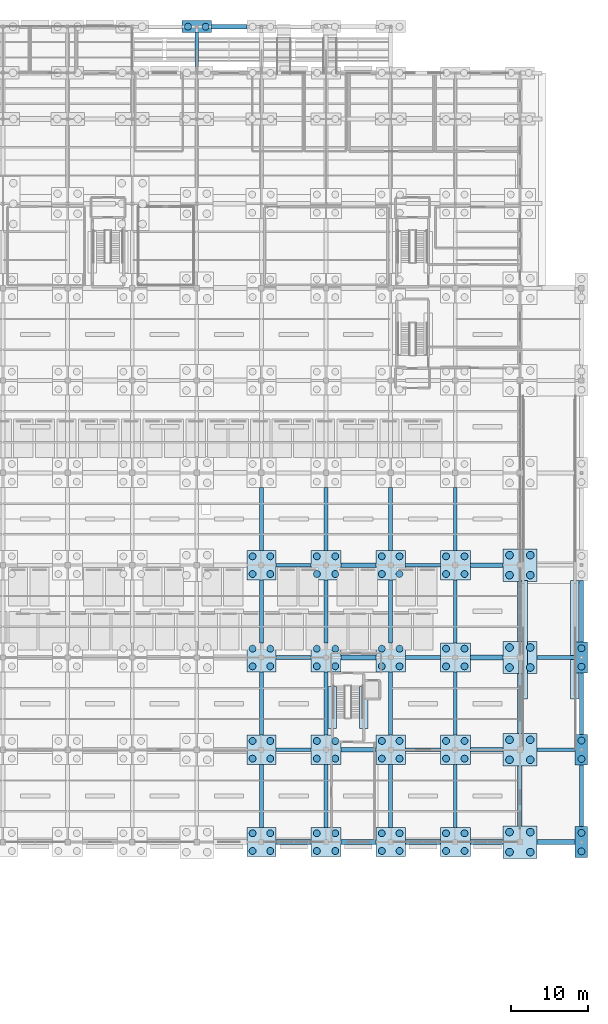
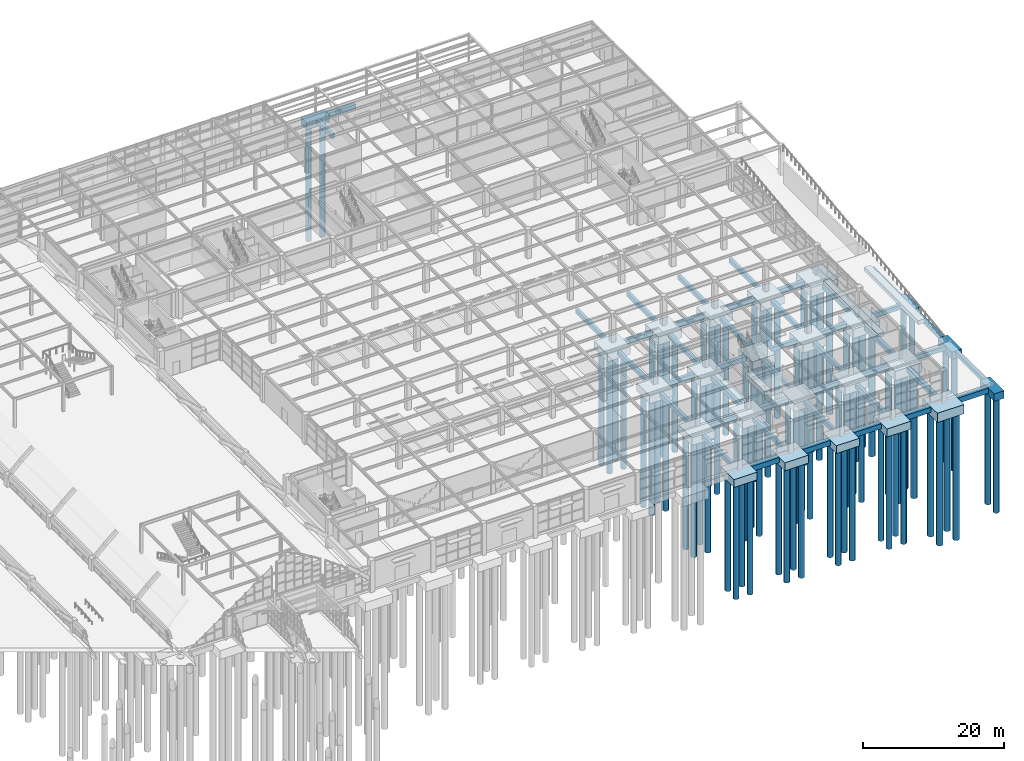
# One storey, part 9 of 129: 88 piles, 71 footings.
"""IFC4 building model written with IfcOpenShell, lengths in metres."""

from ifc_helpers import new_model, si_unit, direction, frame, origin, origin_2d, place, context, subcontext, project, spatial, rectangle, circle, extrude, material, material_profile, profile_set, type_object, element, save


model = new_model("IFC4")

# Units and contexts
model_context = context("Model", 3, precision=1e-05, world=origin(), true_north=direction((0.0, 1.0)))
body_context = subcontext(model_context, "Body", "Model", "MODEL_VIEW")
ifc_project = project(units=[si_unit("LENGTHUNIT", "METRE"), si_unit("AREAUNIT", "SQUARE_METRE"), si_unit("VOLUMEUNIT", "CUBIC_METRE"), si_unit("PLANEANGLEUNIT", "RADIAN"), si_unit("MASSUNIT", "GRAM", prefix="KILO")], contexts=[model_context])

# Site, building, storey
site_placement = place(None, origin())
site = spatial("IfcSite", under=ifc_project, at=site_placement, CompositionType="ELEMENT")
building_placement = place(site_placement, origin())
building = spatial("IfcBuilding", under=site, at=building_placement, Name="Sitalva Quay Ferry Terminal", CompositionType="ELEMENT")
storey_placement = place(building_placement, origin())
storey = spatial("IfcBuildingStorey", under=building, at=storey_placement, Name="L01", CompositionType="ELEMENT", Elevation=0.0)

# Footings
ifc_material_1 = material(Name="Concrete C35/45", Category="concrete")
ifc_material_profile_1 = material_profile(ifc_material_1, rectangle(XDim=0.5, YDim=0.75, at=origin_2d()), Name="RC500x750")
ifc_profile_set_1 = profile_set([ifc_material_profile_1], Name="Concrete C35/45")
footing_type_1 = type_object("IfcFootingType", Name="FootingBeam_500x750", PredefinedType="FOOTING_BEAM", material=ifc_profile_set_1)
footing_1_placement = place(storey_placement, frame((136.300048828125, 18.0, -0.824951171875), z_axis=(1.0, 0.0, 0.0), x_axis=(0.0, 1.0, 0.0)))
element("IfcFooting", 1, at=footing_1_placement, inside=storey, type_object=footing_type_1, Name="Foundation tie beam FBR1-X-039", PredefinedType="FOOTING_BEAM", context=body_context, shape_type="SweptSolid", body=[
    extrude(rectangle(XDim=0.5, YDim=0.75, at=origin_2d()), origin(), (0.0, 0.0, 1.0), 4.550048828125),
])
footing_2_placement = place(storey_placement, frame((153.10009765625, 18.0, -0.824951171875), z_axis=(1.0, 0.0, 0.0), x_axis=(0.0, 1.0, 0.0)))
element("IfcFooting", 2, at=footing_2_placement, inside=storey, type_object=footing_type_1, Name="Foundation tie beam FBR1-X-041", PredefinedType="FOOTING_BEAM", context=body_context, shape_type="SweptSolid", body=[
    extrude(rectangle(XDim=0.5, YDim=0.75, at=origin_2d()), origin(), (0.0, 0.0, 1.0), 4.5498046875),
])
footing_3_placement = place(storey_placement, frame((170.199951171875, 18.0, -0.824951171875), z_axis=(1.0, 0.0, 0.0), x_axis=(0.0, 1.0, 0.0)))
element("IfcFooting", 3, at=footing_3_placement, inside=storey, type_object=footing_type_1, Name="Foundation tie beam FBR1-X-043", PredefinedType="FOOTING_BEAM", context=body_context, shape_type="SweptSolid", body=[
    extrude(rectangle(XDim=0.5, YDim=0.75, at=origin_2d()), origin(), (0.0, 0.0, 1.0), 4.989990234375),
])
footing_4_placement = place(storey_placement, frame((136.300048828125, 30.0, -0.824951171875), z_axis=(1.0, 0.0, 0.0), x_axis=(0.0, 1.0, 0.0)))
element("IfcFooting", 4, at=footing_4_placement, inside=storey, type_object=footing_type_1, Name="Foundation tie beam FBR1-X-059", PredefinedType="FOOTING_BEAM", context=body_context, shape_type="SweptSolid", body=[
    extrude(rectangle(XDim=0.5, YDim=0.75, at=origin_2d()), origin(), (0.0, 0.0, 1.0), 4.550048828125),
])
footing_5_placement = place(storey_placement, frame((153.10009765625, 30.0, -0.824951171875), z_axis=(1.0, 0.0, 0.0), x_axis=(0.0, 1.0, 0.0)))
element("IfcFooting", 5, at=footing_5_placement, inside=storey, type_object=footing_type_1, Name="Foundation tie beam FBR1-X-061", PredefinedType="FOOTING_BEAM", context=body_context, shape_type="SweptSolid", body=[
    extrude(rectangle(XDim=0.5, YDim=0.75, at=origin_2d()), origin(), (0.0, 0.0, 1.0), 4.5498046875),
])
footing_6_placement = place(storey_placement, frame((170.199951171875, 30.0, -0.824951171875), z_axis=(1.0, 0.0, 0.0), x_axis=(0.0, 1.0, 0.0)))
element("IfcFooting", 6, at=footing_6_placement, inside=storey, type_object=footing_type_1, Name="Foundation tie beam FBR1-X-063", PredefinedType="FOOTING_BEAM", context=body_context, shape_type="SweptSolid", body=[
    extrude(rectangle(XDim=0.5, YDim=0.75, at=origin_2d()), origin(), (0.0, 0.0, 1.0), 4.989990234375),
])
footing_7_placement = place(storey_placement, frame((136.300048828125, 42.0, -0.824951171875), z_axis=(1.0, 0.0, 0.0), x_axis=(0.0, 1.0, 0.0)))
element("IfcFooting", 7, at=footing_7_placement, inside=storey, type_object=footing_type_1, Name="Foundation tie beam FBR1-X-075", PredefinedType="FOOTING_BEAM", context=body_context, shape_type="SweptSolid", body=[
    extrude(rectangle(XDim=0.5, YDim=0.75, at=origin_2d()), origin(), (0.0, 0.0, 1.0), 4.550048828125),
])
footing_8_placement = place(storey_placement, frame((153.10009765625, 42.0, -0.824951171875), z_axis=(1.0, 0.0, 0.0), x_axis=(0.0, 1.0, 0.0)))
element("IfcFooting", 8, at=footing_8_placement, inside=storey, type_object=footing_type_1, Name="Foundation tie beam FBR1-X-077", PredefinedType="FOOTING_BEAM", context=body_context, shape_type="SweptSolid", body=[
    extrude(rectangle(XDim=0.5, YDim=0.75, at=origin_2d()), origin(), (0.0, 0.0, 1.0), 4.5498046875),
])
footing_9_placement = place(storey_placement, frame((126.0, 106.824951171875, -0.824951171875), z_axis=(0.0, 1.0, 0.0), x_axis=(-1.0, 0.0, 0.0)))
element("IfcFooting", 9, at=footing_9_placement, inside=storey, type_object=footing_type_1, Name="Foundation tie beam FBR1-Y-350", PredefinedType="FOOTING_BEAM", context=body_context, shape_type="SweptSolid", body=[
    extrude(rectangle(XDim=0.5, YDim=0.75, at=origin_2d()), origin(), (0.0, 0.0, 1.0), 4.400146484375),
])
for number, where, z_axis, x_axis, name in (
    (10, (134.39990234375, 7.89990234375, -0.824951171875), (0.0, 1.0, 0.0), (-1.0, 0.0, 0.0), "Foundation tie beam FBR1-Y-351"),
    (11, (134.39990234375, 19.89990234375, -0.824951171875), (0.0, 1.0, 0.0), (-1.0, 0.0, 0.0), "Foundation tie beam FBR1-Y-352"),
    (12, (134.39990234375, 31.89990234375, -0.824951171875), (0.0, 1.0, 0.0), (-1.0, 0.0, 0.0), "Foundation tie beam FBR1-Y-353"),
    (13, (134.39990234375, 43.89990234375, -0.824951171875), (0.0, 1.0, 0.0), (-1.0, 0.0, 0.0), "Foundation tie beam FBR1-Y-354"),
    (14, (142.800048828125, 7.89990234375, -0.824951171875), (0.0, 1.0, 0.0), (-1.0, 0.0, 0.0), "Foundation tie beam FBR1-Y-361"),
    (15, (142.800048828125, 19.89990234375, -0.824951171875), (0.0, 1.0, 0.0), (-1.0, 0.0, 0.0), "Foundation tie beam FBR1-Y-362"),
    (16, (142.800048828125, 31.89990234375, -0.824951171875), (0.0, 1.0, 0.0), (-1.0, 0.0, 0.0), "Foundation tie beam FBR1-Y-363"),
    (17, (142.800048828125, 43.89990234375, -0.824951171875), (0.0, 1.0, 0.0), (-1.0, 0.0, 0.0), "Foundation tie beam FBR1-Y-364"),
    (18, (151.199951171875, 7.89990234375, -0.824951171875), (0.0, 1.0, 0.0), (-1.0, 0.0, 0.0), "Foundation tie beam FBR1-Y-371"),
    (19, (151.199951171875, 19.89990234375, -0.824951171875), (0.0, 1.0, 0.0), (-1.0, 0.0, 0.0), "Foundation tie beam FBR1-Y-372"),
    (20, (151.199951171875, 31.89990234375, -0.824951171875), (0.0, 1.0, 0.0), (-1.0, 0.0, 0.0), "Foundation tie beam FBR1-Y-373"),
    (21, (151.199951171875, 43.89990234375, -0.824951171875), (0.0, 1.0, 0.0), (-1.0, 0.0, 0.0), "Foundation tie beam FBR1-Y-374"),
    (22, (159.60009765625, 7.89990234375, -0.824951171875), (0.0, 1.0, 0.0), (-1.0, 0.0, 0.0), "Foundation tie beam FBR1-Y-381"),
    (23, (159.60009765625, 19.89990234375, -0.824951171875), (0.0, 1.0, 0.0), (-1.0, 0.0, 0.0), "Foundation tie beam FBR1-Y-382"),
    (24, (159.60009765625, 31.89990234375, -0.824951171875), (0.0, 1.0, 0.0), (-1.0, 0.0, 0.0), "Foundation tie beam FBR1-Y-383"),
    (25, (159.60009765625, 43.89990234375, -0.824951171875), (0.0, 1.0, 0.0), (-1.0, 0.0, 0.0), "Foundation tie beam FBR1-Y-384"),
):
    element("IfcFooting", number, at=place(storey_placement, frame(where, z_axis=z_axis, x_axis=x_axis)), inside=storey, type_object=footing_type_1, Name=name, PredefinedType="FOOTING_BEAM", context=body_context, shape_type="SweptSolid", body=[
        extrude(rectangle(XDim=0.5, YDim=0.75, at=origin_2d()), origin(), (0.0, 0.0, 1.0), 8.2001953125),
    ])
for number, where, z_axis, x_axis, name in (
    (26, (176.0, 8.0, -0.824951171875), (0.0, 1.0, 0.0), (-1.0, 0.0, 0.0), "Foundation tie beam FBR1-Y-399"),
    (27, (176.0, 20.0, -0.824951171875), (0.0, 1.0, 0.0), (-1.0, 0.0, 0.0), "Foundation tie beam FBR1-Y-400"),
    (28, (176.0, 32.0, -0.824951171875), (0.0, 1.0, 0.0), (-1.0, 0.0, 0.0), "Foundation tie beam FBR1-Y-401"),
):
    element("IfcFooting", number, at=place(storey_placement, frame(where, z_axis=z_axis, x_axis=x_axis)), inside=storey, type_object=footing_type_1, Name=name, PredefinedType="FOOTING_BEAM", context=body_context, shape_type="SweptSolid", body=[
        extrude(rectangle(XDim=0.5, YDim=0.75, at=origin_2d()), origin(), (0.0, 0.0, 1.0), 8.0),
    ])
ifc_material_2 = material(Name="Concrete C35/45", Category="concrete")
ifc_material_profile_2 = material_profile(ifc_material_2, rectangle(XDim=0.60009765625, YDim=0.800048828125, at=origin_2d()), Name="RC600x800")
ifc_profile_set_2 = profile_set([ifc_material_profile_2], Name="Concrete C35/45")
footing_type_2 = type_object("IfcFootingType", Name="FootingBeam_600x800", PredefinedType="FOOTING_BEAM", material=ifc_profile_set_2)
footing_10_placement = place(storey_placement, frame((144.75, 18.0, -0.85009765625), z_axis=(1.0, 0.0, 0.0), x_axis=(0.0, 1.0, 0.0)))
element("IfcFooting", 29, at=footing_10_placement, inside=storey, type_object=footing_type_2, Name="Foundation tie beam FBR1-X-040", PredefinedType="FOOTING_BEAM", context=body_context, shape_type="SweptSolid", body=[
    extrude(rectangle(XDim=0.60009765625, YDim=0.800048828125, at=origin_2d()), origin(), (0.0, 0.0, 1.0), 4.550048828125),
])
footing_11_placement = place(storey_placement, frame((161.550048828125, 18.0, -0.85009765625), z_axis=(1.0, 0.0, 0.0), x_axis=(0.0, 1.0, 0.0)))
element("IfcFooting", 30, at=footing_11_placement, inside=storey, type_object=footing_type_2, Name="Foundation tie beam FBR1-X-042", PredefinedType="FOOTING_BEAM", context=body_context, shape_type="SweptSolid", body=[
    extrude(rectangle(XDim=0.60009765625, YDim=0.800048828125, at=origin_2d()), origin(), (0.0, 0.0, 1.0), 4.25),
])
footing_12_placement = place(storey_placement, frame((144.75, 30.0, -0.85009765625), z_axis=(1.0, 0.0, 0.0), x_axis=(0.0, 1.0, 0.0)))
element("IfcFooting", 31, at=footing_12_placement, inside=storey, type_object=footing_type_2, Name="Foundation tie beam FBR1-X-060", PredefinedType="FOOTING_BEAM", context=body_context, shape_type="SweptSolid", body=[
    extrude(rectangle(XDim=0.60009765625, YDim=0.800048828125, at=origin_2d()), origin(), (0.0, 0.0, 1.0), 4.550048828125),
])
footing_13_placement = place(storey_placement, frame((161.550048828125, 30.0, -0.85009765625), z_axis=(1.0, 0.0, 0.0), x_axis=(0.0, 1.0, 0.0)))
element("IfcFooting", 32, at=footing_13_placement, inside=storey, type_object=footing_type_2, Name="Foundation tie beam FBR1-X-062", PredefinedType="FOOTING_BEAM", context=body_context, shape_type="SweptSolid", body=[
    extrude(rectangle(XDim=0.60009765625, YDim=0.800048828125, at=origin_2d()), origin(), (0.0, 0.0, 1.0), 4.25),
])
footing_14_placement = place(storey_placement, frame((144.75, 42.0, -0.85009765625), z_axis=(1.0, 0.0, 0.0), x_axis=(0.0, 1.0, 0.0)))
element("IfcFooting", 33, at=footing_14_placement, inside=storey, type_object=footing_type_2, Name="Foundation tie beam FBR1-X-076", PredefinedType="FOOTING_BEAM", context=body_context, shape_type="SweptSolid", body=[
    extrude(rectangle(XDim=0.60009765625, YDim=0.800048828125, at=origin_2d()), origin(), (0.0, 0.0, 1.0), 4.550048828125),
])
footing_15_placement = place(storey_placement, frame((161.550048828125, 42.0, -0.85009765625), z_axis=(1.0, 0.0, 0.0), x_axis=(0.0, 1.0, 0.0)))
element("IfcFooting", 34, at=footing_15_placement, inside=storey, type_object=footing_type_2, Name="Foundation tie beam FBR1-X-078", PredefinedType="FOOTING_BEAM", context=body_context, shape_type="SweptSolid", body=[
    extrude(rectangle(XDim=0.60009765625, YDim=0.800048828125, at=origin_2d()), origin(), (0.0, 0.0, 1.0), 4.25),
])
footing_16_placement = place(storey_placement, frame((127.89990234375, 112.0, -0.85009765625), z_axis=(1.0, 0.0, 0.0), x_axis=(0.0, 1.0, 0.0)))
element("IfcFooting", 35, at=footing_16_placement, inside=storey, type_object=footing_type_2, Name="Foundation tie beam FBR1-X-206", PredefinedType="FOOTING_BEAM", context=body_context, shape_type="SweptSolid", body=[
    extrude(rectangle(XDim=0.60009765625, YDim=0.800048828125, at=origin_2d()), origin(), (0.0, 0.0, 1.0), 4.60009765625),
])
for number, where, z_axis, x_axis, name in (
    (36, (168.0, 8.10009765625, -0.85009765625), (0.0, 1.0, 0.0), (-1.0, 0.0, 0.0), "Foundation tie beam FBR1-Y-390"),
    (37, (168.0, 20.10009765625, -0.85009765625), (0.0, 1.0, 0.0), (-1.0, 0.0, 0.0), "Foundation tie beam FBR1-Y-391"),
    (38, (168.0, 32.10009765625, -0.85009765625), (0.0, 1.0, 0.0), (-1.0, 0.0, 0.0), "Foundation tie beam FBR1-Y-392"),
):
    element("IfcFooting", number, at=place(storey_placement, frame(where, z_axis=z_axis, x_axis=x_axis)), inside=storey, type_object=footing_type_2, Name=name, PredefinedType="FOOTING_BEAM", context=body_context, shape_type="SweptSolid", body=[
        extrude(rectangle(XDim=0.60009765625, YDim=0.800048828125, at=origin_2d()), origin(), (0.0, 0.0, 1.0), 7.7998046875),
    ])
ifc_material_3 = material(Name="Concrete C35/45", Category="concrete")
ifc_material_profile_3 = material_profile(ifc_material_3, rectangle(XDim=0.64990234375, YDim=0.89990234375, at=origin_2d()), Name="RC650x900")
ifc_profile_set_3 = profile_set([ifc_material_profile_3], Name="Concrete C35/45")
footing_type_3 = type_object("IfcFootingType", Name="FootingBeam_650x900", PredefinedType="FOOTING_BEAM", material=ifc_profile_set_3)
for number, where, z_axis, x_axis, name in (
    (39, (136.300048828125, 6.0, -0.89990234375), (1.0, 0.0, 0.0), (0.0, 1.0, 0.0), "Foundation tie beam FBR1-X-022"),
    (40, (144.75, 6.0, -0.89990234375), (1.0, 0.0, 0.0), (0.0, 1.0, 0.0), "Foundation tie beam FBR1-X-023"),
):
    element("IfcFooting", number, at=place(storey_placement, frame(where, z_axis=z_axis, x_axis=x_axis)), inside=storey, type_object=footing_type_3, Name=name, PredefinedType="FOOTING_BEAM", context=body_context, shape_type="SweptSolid", body=[
        extrude(rectangle(XDim=0.64990234375, YDim=0.89990234375, at=origin_2d()), origin(), (0.0, 0.0, 1.0), 4.550048828125),
    ])
footing_17_placement = place(storey_placement, frame((153.10009765625, 6.0, -0.89990234375), z_axis=(1.0, 0.0, 0.0), x_axis=(0.0, 1.0, 0.0)))
element("IfcFooting", 41, at=footing_17_placement, inside=storey, type_object=footing_type_3, Name="Foundation tie beam FBR1-X-024", PredefinedType="FOOTING_BEAM", context=body_context, shape_type="SweptSolid", body=[
    extrude(rectangle(XDim=0.64990234375, YDim=0.89990234375, at=origin_2d()), origin(), (0.0, 0.0, 1.0), 4.5498046875),
])
footing_18_placement = place(storey_placement, frame((161.550048828125, 6.0, -0.89990234375), z_axis=(1.0, 0.0, 0.0), x_axis=(0.0, 1.0, 0.0)))
element("IfcFooting", 42, at=footing_18_placement, inside=storey, type_object=footing_type_3, Name="Foundation tie beam FBR1-X-025", PredefinedType="FOOTING_BEAM", context=body_context, shape_type="SweptSolid", body=[
    extrude(rectangle(XDim=0.64990234375, YDim=0.89990234375, at=origin_2d()), origin(), (0.0, 0.0, 1.0), 4.25),
])
footing_19_placement = place(storey_placement, frame((170.199951171875, 6.0, -0.89990234375), z_axis=(1.0, 0.0, 0.0), x_axis=(0.0, 1.0, 0.0)))
element("IfcFooting", 43, at=footing_19_placement, inside=storey, type_object=footing_type_3, Name="Foundation tie beam FBR1-X-026", PredefinedType="FOOTING_BEAM", context=body_context, shape_type="SweptSolid", body=[
    extrude(rectangle(XDim=0.64990234375, YDim=0.89990234375, at=origin_2d()), origin(), (0.0, 0.0, 1.0), 4.989990234375),
])
ifc_material_4 = material(Name="Concrete C35/45", Category="concrete")
footing_type_4 = type_object("IfcFootingType", Name="PileCap_2P_D900_X1", PredefinedType="PILE_CAP", material=ifc_material_4)
footing_20_placement = place(storey_placement, frame((126.0, 112.0, -1.64990234375), z_axis=(0.0, 0.0, 1.0), x_axis=(1.0, 0.0, 0.0)))
element("IfcFooting", 44, at=footing_20_placement, inside=storey, type_object=footing_type_4, Name="Pile cap PC-13 at 16N", PredefinedType="PILE_CAP", context=body_context, shape_type="SweptSolid", body=[
    extrude(rectangle(XDim=3.800048828125, YDim=1.550048828125, at=origin_2d()), origin(), (0.0, 0.0, 1.0), 1.199951171875),
])
ifc_material_5 = material(Name="Concrete C35/45", Category="concrete")
footing_type_5 = type_object("IfcFootingType", Name="PileCap_2P_D900_Y2", PredefinedType="PILE_CAP", material=ifc_material_5)
for number, where, z_axis, x_axis, name in (
    (45, (176.0, 6.0, -1.72998046875), (0.0, 0.0, 1.0), (1.0, 0.0, 0.0), "Pile cap PC-16 at 22C"),
    (46, (176.0, 18.0, -1.72998046875), (0.0, 0.0, 1.0), (1.0, 0.0, 0.0), "Pile cap PC-16 at 22D"),
    (47, (176.0, 30.0, -1.72998046875), (0.0, 0.0, 1.0), (1.0, 0.0, 0.0), "Pile cap PC-16 at 22E"),
):
    element("IfcFooting", number, at=place(storey_placement, frame(where, z_axis=z_axis, x_axis=x_axis)), inside=storey, type_object=footing_type_5, Name=name, PredefinedType="PILE_CAP", context=body_context, shape_type="SweptSolid", body=[
        extrude(rectangle(XDim=1.6201171875, YDim=4.0, at=origin_2d()), origin(), (0.0, 0.0, 1.0), 1.280029296875),
    ])
ifc_material_6 = material(Name="Concrete C35/45", Category="concrete")
footing_type_6 = type_object("IfcFootingType", Name="PileCap_4P_D1000_C", PredefinedType="PILE_CAP", material=ifc_material_6)
for number, where, z_axis, x_axis, name in (
    (48, (168.0, 6.0, -2.050048828125), (0.0, 0.0, 1.0), (1.0, 0.0, 0.0), "Pile cap PC-05 at 21C"),
    (49, (168.0, 18.0, -2.050048828125), (0.0, 0.0, 1.0), (1.0, 0.0, 0.0), "Pile cap PC-05 at 21D"),
    (50, (168.0, 30.0, -2.050048828125), (0.0, 0.0, 1.0), (1.0, 0.0, 0.0), "Pile cap PC-05 at 21E"),
    (51, (168.0, 42.0, -2.050048828125), (0.0, 0.0, 1.0), (1.0, 0.0, 0.0), "Pile cap PC-05 at 21F"),
):
    element("IfcFooting", number, at=place(storey_placement, frame(where, z_axis=z_axis, x_axis=x_axis)), inside=storey, type_object=footing_type_6, Name=name, PredefinedType="PILE_CAP", context=body_context, shape_type="SweptSolid", body=[
        extrude(rectangle(XDim=4.39990234375, YDim=4.199951171875, at=origin_2d()), origin(), (0.0, 0.0, 1.0), 1.60009765625),
    ])
ifc_material_7 = material(Name="Concrete C35/45", Category="concrete")
footing_type_7 = type_object("IfcFootingType", Name="PileCap_4P_D900_A", PredefinedType="PILE_CAP", material=ifc_material_7)
for number, where, z_axis, x_axis, name in (
    (52, (134.39990234375, 6.0, -1.800048828125), (0.0, 0.0, 1.0), (1.0, 0.0, 0.0), "Pile cap PC-07 at 17C"),
    (53, (151.199951171875, 6.0, -1.800048828125), (0.0, 0.0, 1.0), (1.0, 0.0, 0.0), "Pile cap PC-07 at 19C"),
    (54, (134.39990234375, 18.0, -1.800048828125), (0.0, 0.0, 1.0), (1.0, 0.0, 0.0), "Pile cap PC-07 at 17D"),
    (55, (151.199951171875, 18.0, -1.800048828125), (0.0, 0.0, 1.0), (1.0, 0.0, 0.0), "Pile cap PC-07 at 19D"),
    (56, (134.39990234375, 30.0, -1.800048828125), (0.0, 0.0, 1.0), (1.0, 0.0, 0.0), "Pile cap PC-07 at 17E"),
    (57, (151.199951171875, 30.0, -1.800048828125), (0.0, 0.0, 1.0), (1.0, 0.0, 0.0), "Pile cap PC-07 at 19E"),
    (58, (134.39990234375, 42.0, -1.800048828125), (0.0, 0.0, 1.0), (1.0, 0.0, 0.0), "Pile cap PC-07 at 17F"),
    (59, (151.199951171875, 42.0, -1.800048828125), (0.0, 0.0, 1.0), (1.0, 0.0, 0.0), "Pile cap PC-07 at 19F"),
):
    element("IfcFooting", number, at=place(storey_placement, frame(where, z_axis=z_axis, x_axis=x_axis)), inside=storey, type_object=footing_type_7, Name=name, PredefinedType="PILE_CAP", context=body_context, shape_type="SweptSolid", body=[
        extrude(rectangle(XDim=3.800048828125, YDim=3.800048828125, at=origin_2d()), origin(), (0.0, 0.0, 1.0), 1.35009765625),
    ])
ifc_material_8 = material(Name="Concrete C35/45", Category="concrete")
footing_type_8 = type_object("IfcFootingType", Name="PileCap_4P_D900_B", PredefinedType="PILE_CAP", material=ifc_material_8)
for number, where, z_axis, x_axis, name in (
    (60, (142.800048828125, 6.0, -1.849853515625), (0.0, 0.0, 1.0), (1.0, 0.0, 0.0), "Pile cap PC-08 at 18C"),
    (61, (159.60009765625, 6.0, -1.849853515625), (0.0, 0.0, 1.0), (1.0, 0.0, 0.0), "Pile cap PC-08 at 20C"),
    (62, (142.800048828125, 18.0, -1.849853515625), (0.0, 0.0, 1.0), (1.0, 0.0, 0.0), "Pile cap PC-08 at 18D"),
    (63, (159.60009765625, 18.0, -1.849853515625), (0.0, 0.0, 1.0), (1.0, 0.0, 0.0), "Pile cap PC-08 at 20D"),
    (64, (142.800048828125, 30.0, -1.849853515625), (0.0, 0.0, 1.0), (1.0, 0.0, 0.0), "Pile cap PC-08 at 18E"),
    (65, (159.60009765625, 30.0, -1.849853515625), (0.0, 0.0, 1.0), (1.0, 0.0, 0.0), "Pile cap PC-08 at 20E"),
    (66, (142.800048828125, 42.0, -1.849853515625), (0.0, 0.0, 1.0), (1.0, 0.0, 0.0), "Pile cap PC-08 at 18F"),
    (67, (159.60009765625, 42.0, -1.849853515625), (0.0, 0.0, 1.0), (1.0, 0.0, 0.0), "Pile cap PC-08 at 20F"),
):
    element("IfcFooting", number, at=place(storey_placement, frame(where, z_axis=z_axis, x_axis=x_axis)), inside=storey, type_object=footing_type_8, Name=name, PredefinedType="PILE_CAP", context=body_context, shape_type="SweptSolid", body=[
        extrude(rectangle(XDim=3.89990234375, YDim=3.800048828125, at=origin_2d()), origin(), (0.0, 0.0, 1.0), 1.39990234375),
    ])

# Piles
ifc_material_9 = material(Name="Concrete C35/45", Category="concrete")
ifc_material_profile_4 = material_profile(ifc_material_9, circle(Radius=0.5, at=origin_2d()), Name="PILE-D1000")
ifc_profile_set_4 = profile_set([ifc_material_profile_4], Name="Concrete C35/45")
pile_type_1 = type_object("IfcPileType", Name="Pile_Bored_D1000", PredefinedType="BORED", material=ifc_profile_set_4)
for number, where, z_axis, x_axis, name in (
    (68, (166.64990234375, 4.699951171875, -1.949951171875), (0.0, 0.0, -1.0), (1.0, 0.0, 0.0), "Bored pile 21C-P1"),
    (69, (169.35009765625, 4.699951171875, -1.949951171875), (0.0, 0.0, -1.0), (1.0, 0.0, 0.0), "Bored pile 21C-P2"),
    (70, (166.64990234375, 7.300048828125, -1.949951171875), (0.0, 0.0, -1.0), (1.0, 0.0, 0.0), "Bored pile 21C-P3"),
    (71, (169.35009765625, 7.300048828125, -1.949951171875), (0.0, 0.0, -1.0), (1.0, 0.0, 0.0), "Bored pile 21C-P4"),
    (72, (166.64990234375, 16.699951171875, -1.949951171875), (0.0, 0.0, -1.0), (1.0, 0.0, 0.0), "Bored pile 21D-P1"),
    (73, (169.35009765625, 16.699951171875, -1.949951171875), (0.0, 0.0, -1.0), (1.0, 0.0, 0.0), "Bored pile 21D-P2"),
    (74, (166.64990234375, 19.300048828125, -1.949951171875), (0.0, 0.0, -1.0), (1.0, 0.0, 0.0), "Bored pile 21D-P3"),
    (75, (169.35009765625, 19.300048828125, -1.949951171875), (0.0, 0.0, -1.0), (1.0, 0.0, 0.0), "Bored pile 21D-P4"),
    (76, (166.64990234375, 28.699951171875, -1.949951171875), (0.0, 0.0, -1.0), (1.0, 0.0, 0.0), "Bored pile 21E-P1"),
    (77, (169.35009765625, 28.699951171875, -1.949951171875), (0.0, 0.0, -1.0), (1.0, 0.0, 0.0), "Bored pile 21E-P2"),
    (78, (166.64990234375, 31.300048828125, -1.949951171875), (0.0, 0.0, -1.0), (1.0, 0.0, 0.0), "Bored pile 21E-P3"),
    (79, (169.35009765625, 31.300048828125, -1.949951171875), (0.0, 0.0, -1.0), (1.0, 0.0, 0.0), "Bored pile 21E-P4"),
    (80, (166.64990234375, 40.699951171875, -1.949951171875), (0.0, 0.0, -1.0), (1.0, 0.0, 0.0), "Bored pile 21F-P1"),
    (81, (169.35009765625, 40.699951171875, -1.949951171875), (0.0, 0.0, -1.0), (1.0, 0.0, 0.0), "Bored pile 21F-P2"),
    (82, (166.64990234375, 43.300048828125, -1.949951171875), (0.0, 0.0, -1.0), (1.0, 0.0, 0.0), "Bored pile 21F-P3"),
    (83, (169.35009765625, 43.300048828125, -1.949951171875), (0.0, 0.0, -1.0), (1.0, 0.0, 0.0), "Bored pile 21F-P4"),
):
    element("IfcPile", number, at=place(storey_placement, frame(where, z_axis=z_axis, x_axis=x_axis)), inside=storey, type_object=pile_type_1, Name=name, PredefinedType="BORED", context=body_context, shape_type="SweptSolid", body=[
        extrude(circle(Radius=0.5, at=origin_2d()), origin(), (0.0, 0.0, 1.0), 22.0),
    ])
ifc_material_10 = material(Name="Concrete C35/45", Category="concrete")
ifc_material_profile_5 = material_profile(ifc_material_10, circle(Radius=0.449951171875, at=origin_2d()), Name="PILE-D900")
ifc_profile_set_5 = profile_set([ifc_material_profile_5], Name="Concrete C35/45")
pile_type_2 = type_object("IfcPileType", Name="Pile_Bored_D900", PredefinedType="BORED", material=ifc_profile_set_5)
for number, where, z_axis, x_axis, name in (
    (84, (133.25, 4.85009765625, -1.699951171875), (0.0, 0.0, -1.0), (1.0, 0.0, 0.0), "Bored pile 17C-P1"),
    (85, (135.550048828125, 4.85009765625, -1.699951171875), (0.0, 0.0, -1.0), (1.0, 0.0, 0.0), "Bored pile 17C-P2"),
    (86, (133.25, 7.14990234375, -1.699951171875), (0.0, 0.0, -1.0), (1.0, 0.0, 0.0), "Bored pile 17C-P3"),
    (87, (135.550048828125, 7.14990234375, -1.699951171875), (0.0, 0.0, -1.0), (1.0, 0.0, 0.0), "Bored pile 17C-P4"),
    (88, (141.60009765625, 4.85009765625, -1.75), (0.0, 0.0, -1.0), (1.0, 0.0, 0.0), "Bored pile 18C-P1"),
    (89, (144.0, 4.85009765625, -1.75), (0.0, 0.0, -1.0), (1.0, 0.0, 0.0), "Bored pile 18C-P2"),
    (90, (141.60009765625, 7.14990234375, -1.75), (0.0, 0.0, -1.0), (1.0, 0.0, 0.0), "Bored pile 18C-P3"),
    (91, (144.0, 7.14990234375, -1.75), (0.0, 0.0, -1.0), (1.0, 0.0, 0.0), "Bored pile 18C-P4"),
    (92, (150.050048828125, 4.85009765625, -1.699951171875), (0.0, 0.0, -1.0), (1.0, 0.0, 0.0), "Bored pile 19C-P1"),
    (93, (152.35009765625, 4.85009765625, -1.699951171875), (0.0, 0.0, -1.0), (1.0, 0.0, 0.0), "Bored pile 19C-P2"),
    (94, (150.050048828125, 7.14990234375, -1.699951171875), (0.0, 0.0, -1.0), (1.0, 0.0, 0.0), "Bored pile 19C-P3"),
    (95, (152.35009765625, 7.14990234375, -1.699951171875), (0.0, 0.0, -1.0), (1.0, 0.0, 0.0), "Bored pile 19C-P4"),
    (96, (158.39990234375, 4.85009765625, -1.75), (0.0, 0.0, -1.0), (1.0, 0.0, 0.0), "Bored pile 20C-P1"),
    (97, (160.800048828125, 4.85009765625, -1.75), (0.0, 0.0, -1.0), (1.0, 0.0, 0.0), "Bored pile 20C-P2"),
    (98, (158.39990234375, 7.14990234375, -1.75), (0.0, 0.0, -1.0), (1.0, 0.0, 0.0), "Bored pile 20C-P3"),
    (99, (160.800048828125, 7.14990234375, -1.75), (0.0, 0.0, -1.0), (1.0, 0.0, 0.0), "Bored pile 20C-P4"),
    (100, (176.0, 4.800048828125, -1.6298828125), (0.0, 0.0, -1.0), (1.0, 0.0, 0.0), "Bored pile 22C-P1"),
    (101, (176.0, 7.199951171875, -1.6298828125), (0.0, 0.0, -1.0), (1.0, 0.0, 0.0), "Bored pile 22C-P2"),
    (102, (133.25, 16.85009765625, -1.699951171875), (0.0, 0.0, -1.0), (1.0, 0.0, 0.0), "Bored pile 17D-P1"),
    (103, (135.550048828125, 16.85009765625, -1.699951171875), (0.0, 0.0, -1.0), (1.0, 0.0, 0.0), "Bored pile 17D-P2"),
    (104, (133.25, 19.14990234375, -1.699951171875), (0.0, 0.0, -1.0), (1.0, 0.0, 0.0), "Bored pile 17D-P3"),
    (105, (135.550048828125, 19.14990234375, -1.699951171875), (0.0, 0.0, -1.0), (1.0, 0.0, 0.0), "Bored pile 17D-P4"),
    (106, (141.60009765625, 16.85009765625, -1.75), (0.0, 0.0, -1.0), (1.0, 0.0, 0.0), "Bored pile 18D-P1"),
    (107, (144.0, 16.85009765625, -1.75), (0.0, 0.0, -1.0), (1.0, 0.0, 0.0), "Bored pile 18D-P2"),
    (108, (141.60009765625, 19.14990234375, -1.75), (0.0, 0.0, -1.0), (1.0, 0.0, 0.0), "Bored pile 18D-P3"),
    (109, (144.0, 19.14990234375, -1.75), (0.0, 0.0, -1.0), (1.0, 0.0, 0.0), "Bored pile 18D-P4"),
    (110, (150.050048828125, 16.85009765625, -1.699951171875), (0.0, 0.0, -1.0), (1.0, 0.0, 0.0), "Bored pile 19D-P1"),
    (111, (152.35009765625, 16.85009765625, -1.699951171875), (0.0, 0.0, -1.0), (1.0, 0.0, 0.0), "Bored pile 19D-P2"),
    (112, (150.050048828125, 19.14990234375, -1.699951171875), (0.0, 0.0, -1.0), (1.0, 0.0, 0.0), "Bored pile 19D-P3"),
    (113, (152.35009765625, 19.14990234375, -1.699951171875), (0.0, 0.0, -1.0), (1.0, 0.0, 0.0), "Bored pile 19D-P4"),
    (114, (158.39990234375, 16.85009765625, -1.75), (0.0, 0.0, -1.0), (1.0, 0.0, 0.0), "Bored pile 20D-P1"),
    (115, (160.800048828125, 16.85009765625, -1.75), (0.0, 0.0, -1.0), (1.0, 0.0, 0.0), "Bored pile 20D-P2"),
    (116, (158.39990234375, 19.14990234375, -1.75), (0.0, 0.0, -1.0), (1.0, 0.0, 0.0), "Bored pile 20D-P3"),
    (117, (160.800048828125, 19.14990234375, -1.75), (0.0, 0.0, -1.0), (1.0, 0.0, 0.0), "Bored pile 20D-P4"),
    (118, (176.0, 16.800048828125, -1.6298828125), (0.0, 0.0, -1.0), (1.0, 0.0, 0.0), "Bored pile 22D-P1"),
    (119, (176.0, 19.199951171875, -1.6298828125), (0.0, 0.0, -1.0), (1.0, 0.0, 0.0), "Bored pile 22D-P2"),
    (120, (133.25, 28.85009765625, -1.699951171875), (0.0, 0.0, -1.0), (1.0, 0.0, 0.0), "Bored pile 17E-P1"),
    (121, (135.550048828125, 28.85009765625, -1.699951171875), (0.0, 0.0, -1.0), (1.0, 0.0, 0.0), "Bored pile 17E-P2"),
    (122, (133.25, 31.14990234375, -1.699951171875), (0.0, 0.0, -1.0), (1.0, 0.0, 0.0), "Bored pile 17E-P3"),
    (123, (135.550048828125, 31.14990234375, -1.699951171875), (0.0, 0.0, -1.0), (1.0, 0.0, 0.0), "Bored pile 17E-P4"),
    (124, (141.60009765625, 28.85009765625, -1.75), (0.0, 0.0, -1.0), (1.0, 0.0, 0.0), "Bored pile 18E-P1"),
    (125, (144.0, 28.85009765625, -1.75), (0.0, 0.0, -1.0), (1.0, 0.0, 0.0), "Bored pile 18E-P2"),
    (126, (141.60009765625, 31.14990234375, -1.75), (0.0, 0.0, -1.0), (1.0, 0.0, 0.0), "Bored pile 18E-P3"),
    (127, (144.0, 31.14990234375, -1.75), (0.0, 0.0, -1.0), (1.0, 0.0, 0.0), "Bored pile 18E-P4"),
    (128, (150.050048828125, 28.85009765625, -1.699951171875), (0.0, 0.0, -1.0), (1.0, 0.0, 0.0), "Bored pile 19E-P1"),
    (129, (152.35009765625, 28.85009765625, -1.699951171875), (0.0, 0.0, -1.0), (1.0, 0.0, 0.0), "Bored pile 19E-P2"),
    (130, (150.050048828125, 31.14990234375, -1.699951171875), (0.0, 0.0, -1.0), (1.0, 0.0, 0.0), "Bored pile 19E-P3"),
    (131, (152.35009765625, 31.14990234375, -1.699951171875), (0.0, 0.0, -1.0), (1.0, 0.0, 0.0), "Bored pile 19E-P4"),
    (132, (158.39990234375, 28.85009765625, -1.75), (0.0, 0.0, -1.0), (1.0, 0.0, 0.0), "Bored pile 20E-P1"),
    (133, (160.800048828125, 28.85009765625, -1.75), (0.0, 0.0, -1.0), (1.0, 0.0, 0.0), "Bored pile 20E-P2"),
    (134, (158.39990234375, 31.14990234375, -1.75), (0.0, 0.0, -1.0), (1.0, 0.0, 0.0), "Bored pile 20E-P3"),
    (135, (160.800048828125, 31.14990234375, -1.75), (0.0, 0.0, -1.0), (1.0, 0.0, 0.0), "Bored pile 20E-P4"),
    (136, (176.0, 28.800048828125, -1.6298828125), (0.0, 0.0, -1.0), (1.0, 0.0, 0.0), "Bored pile 22E-P1"),
    (137, (176.0, 31.199951171875, -1.6298828125), (0.0, 0.0, -1.0), (1.0, 0.0, 0.0), "Bored pile 22E-P2"),
    (138, (133.25, 40.85009765625, -1.699951171875), (0.0, 0.0, -1.0), (1.0, 0.0, 0.0), "Bored pile 17F-P1"),
    (139, (135.550048828125, 40.85009765625, -1.699951171875), (0.0, 0.0, -1.0), (1.0, 0.0, 0.0), "Bored pile 17F-P2"),
    (140, (133.25, 43.14990234375, -1.699951171875), (0.0, 0.0, -1.0), (1.0, 0.0, 0.0), "Bored pile 17F-P3"),
    (141, (135.550048828125, 43.14990234375, -1.699951171875), (0.0, 0.0, -1.0), (1.0, 0.0, 0.0), "Bored pile 17F-P4"),
    (142, (141.60009765625, 40.85009765625, -1.75), (0.0, 0.0, -1.0), (1.0, 0.0, 0.0), "Bored pile 18F-P1"),
    (143, (144.0, 40.85009765625, -1.75), (0.0, 0.0, -1.0), (1.0, 0.0, 0.0), "Bored pile 18F-P2"),
    (144, (141.60009765625, 43.14990234375, -1.75), (0.0, 0.0, -1.0), (1.0, 0.0, 0.0), "Bored pile 18F-P3"),
    (145, (144.0, 43.14990234375, -1.75), (0.0, 0.0, -1.0), (1.0, 0.0, 0.0), "Bored pile 18F-P4"),
    (146, (150.050048828125, 40.85009765625, -1.699951171875), (0.0, 0.0, -1.0), (1.0, 0.0, 0.0), "Bored pile 19F-P1"),
    (147, (152.35009765625, 40.85009765625, -1.699951171875), (0.0, 0.0, -1.0), (1.0, 0.0, 0.0), "Bored pile 19F-P2"),
    (148, (150.050048828125, 43.14990234375, -1.699951171875), (0.0, 0.0, -1.0), (1.0, 0.0, 0.0), "Bored pile 19F-P3"),
    (149, (152.35009765625, 43.14990234375, -1.699951171875), (0.0, 0.0, -1.0), (1.0, 0.0, 0.0), "Bored pile 19F-P4"),
    (150, (158.39990234375, 40.85009765625, -1.75), (0.0, 0.0, -1.0), (1.0, 0.0, 0.0), "Bored pile 20F-P1"),
    (151, (160.800048828125, 40.85009765625, -1.75), (0.0, 0.0, -1.0), (1.0, 0.0, 0.0), "Bored pile 20F-P2"),
    (152, (158.39990234375, 43.14990234375, -1.75), (0.0, 0.0, -1.0), (1.0, 0.0, 0.0), "Bored pile 20F-P3"),
    (153, (160.800048828125, 43.14990234375, -1.75), (0.0, 0.0, -1.0), (1.0, 0.0, 0.0), "Bored pile 20F-P4"),
    (154, (124.85009765625, 112.0, -1.550048828125), (0.0, 0.0, -1.0), (1.0, 0.0, 0.0), "Bored pile 16N-P1"),
    (155, (127.14990234375, 112.0, -1.550048828125), (0.0, 0.0, -1.0), (1.0, 0.0, 0.0), "Bored pile 16N-P2"),
):
    element("IfcPile", number, at=place(storey_placement, frame(where, z_axis=z_axis, x_axis=x_axis)), inside=storey, type_object=pile_type_2, Name=name, PredefinedType="BORED", context=body_context, shape_type="SweptSolid", body=[
        extrude(circle(Radius=0.449951171875, at=origin_2d()), origin(), (0.0, 0.0, 1.0), 20.0),
    ])

# Footings
ifc_material_11 = material(Name="Concrete C35/45", Category="concrete")
ifc_material_profile_6 = material_profile(ifc_material_11, rectangle(XDim=1.10009765625, YDim=0.699951171875, at=origin_2d()), Name="RC1100x700")
ifc_profile_set_6 = profile_set([ifc_material_profile_6], Name="Concrete C35/45")
footing_type_9 = type_object("IfcFootingType", Name="StripFooting_1100x700", PredefinedType="STRIP_FOOTING", material=ifc_profile_set_6)
for number, where, z_axis, x_axis, name in (
    (156, (143.60009765625, 20.800048828125, -0.800048828125), (0.0, 1.0, 0.0), (-1.0, 0.0, 0.0), "Core C8 west shear wall strip footing"),
    (157, (147.699951171875, 20.800048828125, -0.800048828125), (0.0, 1.0, 0.0), (-1.0, 0.0, 0.0), "Core C8 east shear wall strip footing"),
):
    element("IfcFooting", number, at=place(storey_placement, frame(where, z_axis=z_axis, x_axis=x_axis)), inside=storey, type_object=footing_type_9, Name=name, PredefinedType="STRIP_FOOTING", context=body_context, shape_type="SweptSolid", body=[
        extrude(rectangle(XDim=1.10009765625, YDim=0.699951171875, at=origin_2d()), origin(), (0.0, 0.0, 1.0), 5.39990234375),
    ])
for number, where, z_axis, x_axis, name in (
    (158, (168.449951171875, 24.60009765625, -0.35009765625), (0.0, 1.0, 0.0), (-1.0, 0.0, 0.0), "Vehicle ramp VR-01 lower pier strip footing W"),
    (159, (175.14990234375, 24.60009765625, -0.35009765625), (0.0, 1.0, 0.0), (-1.0, 0.0, 0.0), "Vehicle ramp VR-01 lower pier strip footing E"),
):
    element("IfcFooting", number, at=place(storey_placement, frame(where, z_axis=z_axis, x_axis=x_axis)), inside=storey, type_object=footing_type_9, Name=name, PredefinedType="STRIP_FOOTING", context=body_context, shape_type="SweptSolid", body=[
        extrude(rectangle(XDim=1.10009765625, YDim=0.699951171875, at=origin_2d()), origin(), (0.0, 0.0, 1.0), 15.39990234375),
    ])

save(model, "model.ifc")
